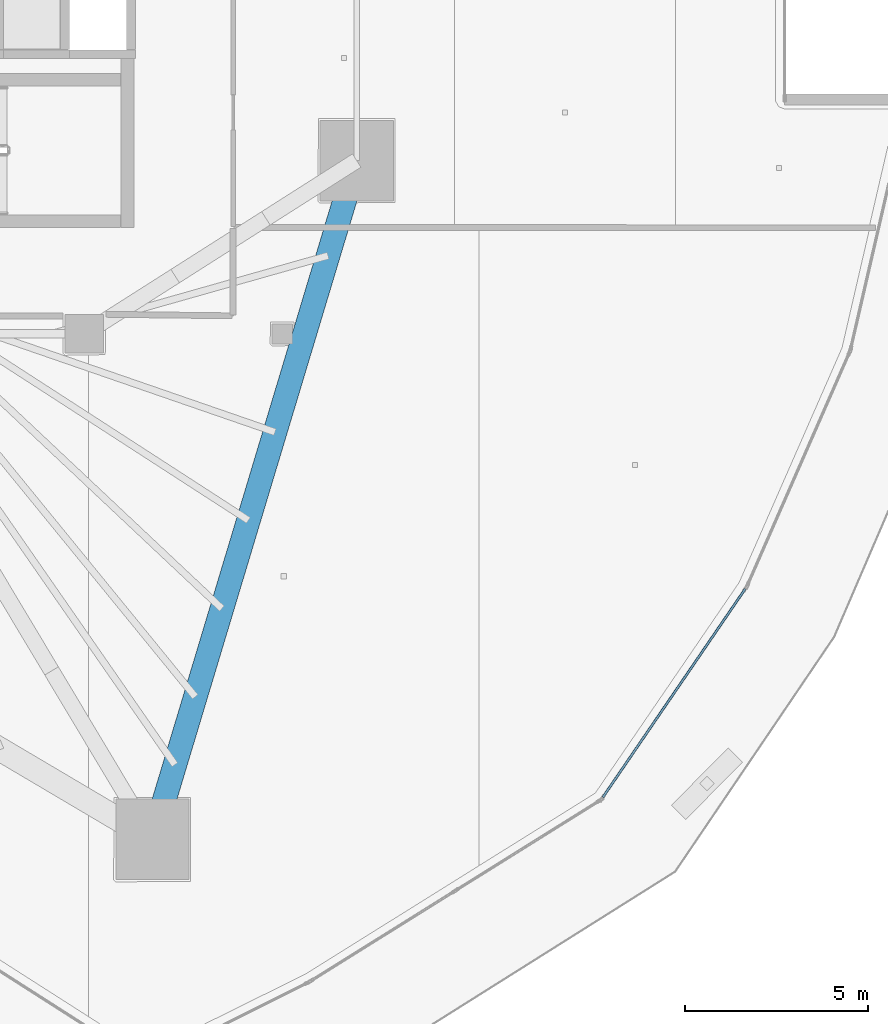
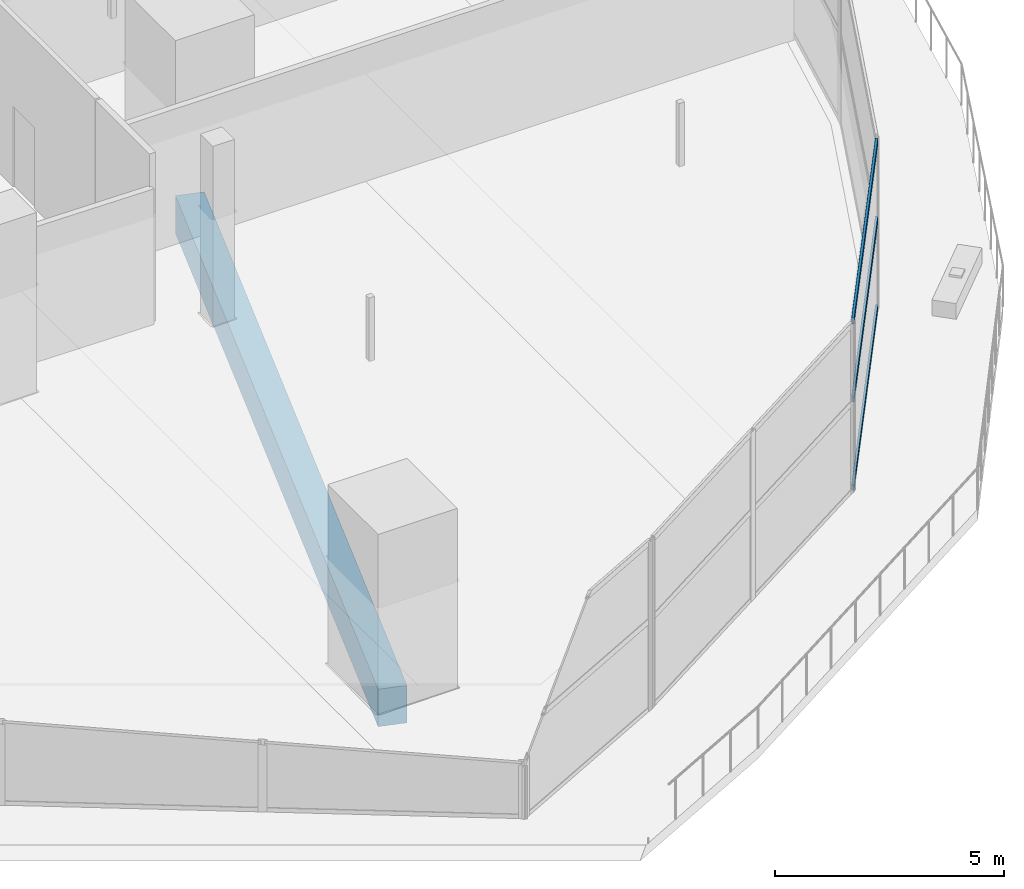
# One storey, part 8 of 42: 3 members, 1 beam, 1 element without a shape of its own.
"""IFC4 building model written with IfcOpenShell, lengths in metres."""

from ifc_helpers import new_model, si_unit, direction, frame, origin, origin_2d, place, context, subcontext, project, spatial, rectangle, hollow_rectangle, extrude, material, layer, layer_set, material_profile, profile_set, type_object, element, aggregate, save


model = new_model("IFC4")

# Units and contexts
model_context = context("Model", 3, precision=1e-05, world=origin(), true_north=direction((0.0, 1.0)))
body_context = subcontext(model_context, "Body", "Model", "MODEL_VIEW")
ifc_project = project(units=[si_unit("LENGTHUNIT", "METRE"), si_unit("AREAUNIT", "SQUARE_METRE"), si_unit("VOLUMEUNIT", "CUBIC_METRE"), si_unit("PLANEANGLEUNIT", "RADIAN"), si_unit("MASSUNIT", "GRAM", prefix="KILO")], contexts=[model_context])

# Site, building, storey
site_placement = place(None, origin())
site = spatial("IfcSite", under=ifc_project, at=site_placement, CompositionType="ELEMENT")
building_placement = place(site_placement, origin())
building = spatial("IfcBuilding", under=site, at=building_placement, Name="Qorvath Tower", CompositionType="ELEMENT")
storey_placement = place(building_placement, frame((0.0, 0.0, 105.0)))
storey = spatial("IfcBuildingStorey", under=building, at=storey_placement, Name="L23", CompositionType="ELEMENT", Elevation=105.0)

# Beam
ifc_material_1 = material(Name="Concrete C50/60", Category="concrete")
ifc_material_profile_1 = material_profile(ifc_material_1, rectangle(XDim=0.64990234375, YDim=1.0, at=origin_2d()), Name="RCB 1000x650")
ifc_profile_set_1 = profile_set([ifc_material_profile_1], Name="Concrete C50/60")
beam_type = type_object("IfcBeamType", Name="BM-RCB1", PredefinedType="SPANDREL", material=ifc_profile_set_1)
beam_placement = place(storey_placement, frame((-15.34423828125, -25.24609375, -0.800048828125), z_axis=(0.288133952099, 0.957590113591, 0.0), x_axis=(-0.957590113591, 0.288133952099, 0.0)))
element("IfcBeam", 1, at=beam_placement, inside=storey, type_object=beam_type, Name="Perimeter Loggia Frame Beam MC3-MC4 L23", PredefinedType="SPANDREL", context=body_context, shape_type="SweptSolid", body=[
    extrude(rectangle(XDim=0.64990234375, YDim=1.0, at=origin_2d()), origin(), (0.0, 0.0, 1.0), 19.344970703125),
])

# Curtain wall, members
ifc_material_2 = material(Name="Anodised aluminium and triple low-E glass", Category="aluminium")
ifc_layer = layer(ifc_material_2, 0.179931640625)
ifc_layer_set = layer_set([ifc_layer], Name="CW-SYS-5")
curtain_wall_type = type_object("IfcCurtainWallType", Name="CW-SYS-5", PredefinedType="NOTDEFINED", material=ifc_layer_set)
curtain_wall_placement = place(storey_placement, origin())
curtain_wall = element("IfcCurtainWall", 2, at=curtain_wall_placement, inside=storey, type_object=curtain_wall_type, Name="Curtain Wall CW-5 CW-T-L23-5.1", PredefinedType="NOTDEFINED")
ifc_material_3 = material(Name="Anodised aluminium 6063-T6", Category="aluminium")
ifc_material_profile_2 = material_profile(ifc_material_3, hollow_rectangle(XDim=0.06494140625, YDim=0.159912109375, WallThickness=0.00341796875, InnerFilletRadius=0.00341796875, OuterFilletRadius=0.007080078125, at=origin_2d()), Name="CWT 160x65")
ifc_profile_set_2 = profile_set([ifc_material_profile_2], Name="Anodised aluminium 6063-T6")
member_type = type_object("IfcMemberType", Name="CWT-160", PredefinedType="USERDEFINED", material=ifc_profile_set_2)
member_1_placement = place(storey_placement, frame((-3.052978515625, -24.09521484375, 0.032470703125), z_axis=(0.564142148778, 0.825677682859, 0.0), x_axis=(-0.825677682859, 0.564142148778, 0.0)))
member_1 = element("IfcMember", 3, at=member_1_placement, type_object=member_type, Name="CW-5 transom 1.1", ObjectType="TRANSOM", PredefinedType="USERDEFINED", context=body_context, shape_type="SweptSolid", body=[
    extrude(hollow_rectangle(XDim=0.06494140625, YDim=0.159912109375, WallThickness=0.00341796875, InnerFilletRadius=0.00341796875, OuterFilletRadius=0.007080078125, at=origin_2d()), origin(), (0.0, 0.0, 1.0), 6.883544921875),
])
member_2_placement = place(storey_placement, frame((-3.052978515625, -24.09521484375, 2.39990234375), z_axis=(0.564142148778, 0.825677682859, 0.0), x_axis=(-0.825677682859, 0.564142148778, 0.0)))
member_2 = element("IfcMember", 4, at=member_2_placement, type_object=member_type, Name="CW-5 transom 1.2", ObjectType="TRANSOM", PredefinedType="USERDEFINED", context=body_context, shape_type="SweptSolid", body=[
    extrude(hollow_rectangle(XDim=0.06494140625, YDim=0.159912109375, WallThickness=0.00341796875, InnerFilletRadius=0.00341796875, OuterFilletRadius=0.007080078125, at=origin_2d()), origin(), (0.0, 0.0, 1.0), 6.883544921875),
])
member_3_placement = place(storey_placement, frame((-3.052978515625, -24.09521484375, 4.487548828125), z_axis=(0.564142148778, 0.825677682859, 0.0), x_axis=(-0.825677682859, 0.564142148778, 0.0)))
member_3 = element("IfcMember", 5, at=member_3_placement, type_object=member_type, Name="CW-5 transom 1.3", ObjectType="TRANSOM", PredefinedType="USERDEFINED", context=body_context, shape_type="SweptSolid", body=[
    extrude(hollow_rectangle(XDim=0.06494140625, YDim=0.159912109375, WallThickness=0.00341796875, InnerFilletRadius=0.00341796875, OuterFilletRadius=0.007080078125, at=origin_2d()), origin(), (0.0, 0.0, 1.0), 6.883544921875),
])
aggregate(curtain_wall, [member_1, member_2, member_3])

save(model, "model.ifc")
